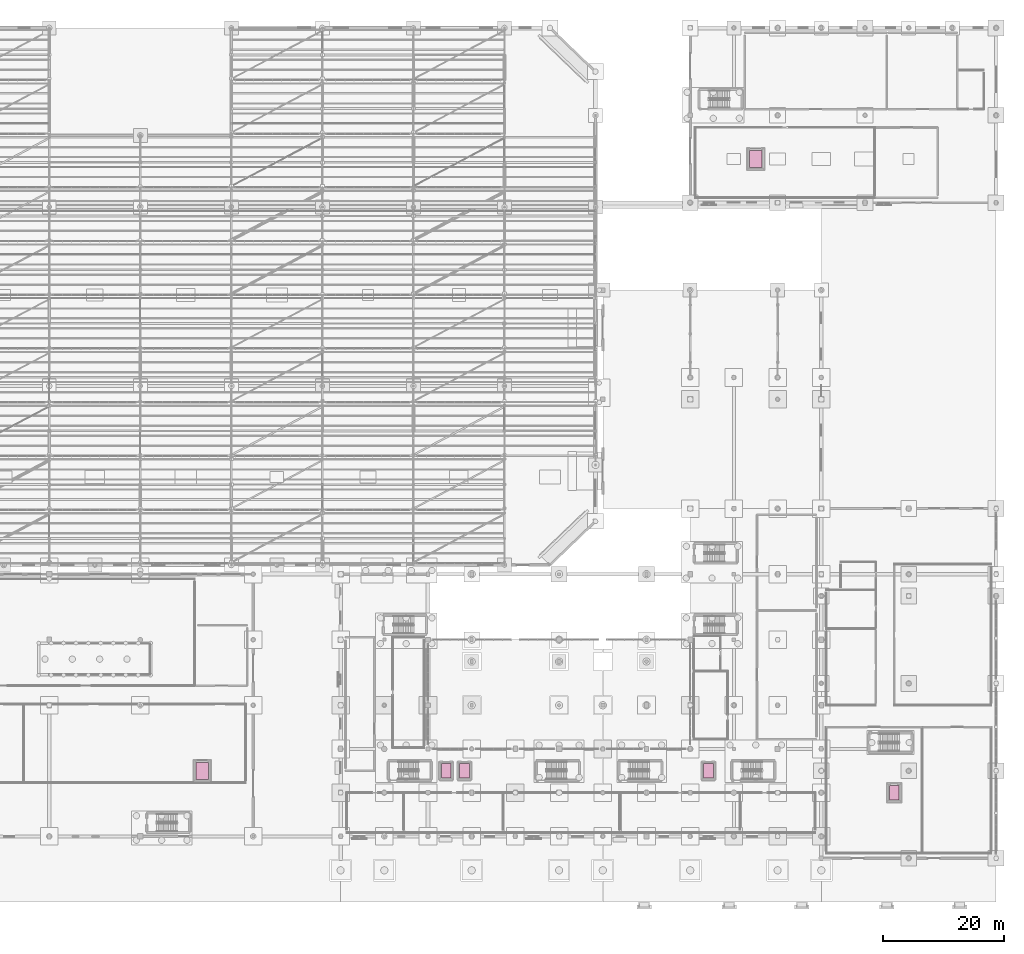
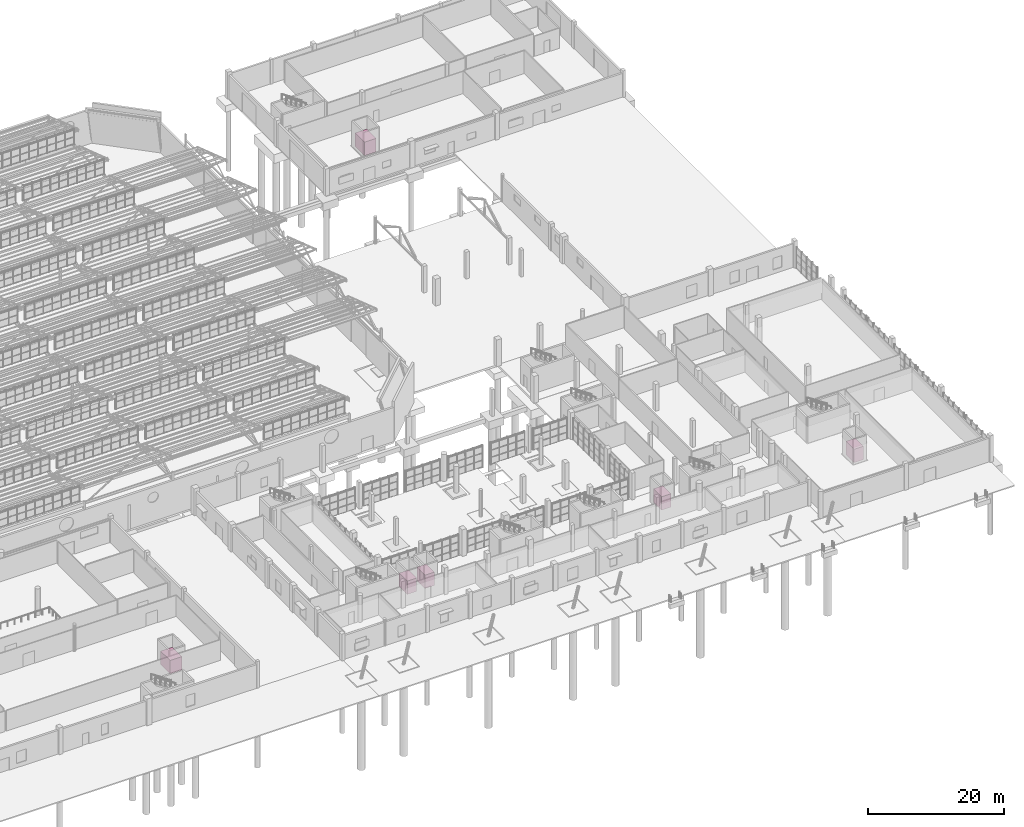
# One storey, part 285 of 285: 6 transport elements.
"""IFC4 building model written with IfcOpenShell, lengths in metres."""

from ifc_helpers import new_model, si_unit, direction, frame, origin, origin_2d, place, context, subcontext, project, spatial, rectangle, extrude, material, type_object, element, save


model = new_model("IFC4")

# Units and contexts
model_context = context("Model", 3, precision=1e-05, world=origin(), true_north=direction((0.0, 1.0)))
body_context = subcontext(model_context, "Body", "Model", "MODEL_VIEW")
ifc_project = project(units=[si_unit("LENGTHUNIT", "METRE"), si_unit("AREAUNIT", "SQUARE_METRE"), si_unit("VOLUMEUNIT", "CUBIC_METRE"), si_unit("PLANEANGLEUNIT", "RADIAN"), si_unit("MASSUNIT", "GRAM", prefix="KILO")], contexts=[model_context])

# Site, building, storey
site_placement = place(None, origin())
site = spatial("IfcSite", under=ifc_project, at=site_placement, CompositionType="ELEMENT")
building_placement = place(site_placement, origin())
building = spatial("IfcBuilding", under=site, at=building_placement, Name="Solanera Park Tramway Depot", CompositionType="ELEMENT")
storey_placement = place(building_placement, origin())
storey = spatial("IfcBuildingStorey", under=building, at=storey_placement, Name="L00", CompositionType="ELEMENT", Elevation=0.0)

# Transport elements
ifc_material_1 = material(Name="Chequer-plate heavy goods lift car")
transport_element_type_1 = type_object("IfcTransportElementType", Name="Heavy Workshop Goods Lift 2200x2800", PredefinedType="ELEVATOR", material=ifc_material_1)
for number, where, z_axis, x_axis, name in (
    (1, (85.199951171875, 21.60009765625, 0.0), (0.0, 0.0, 1.0), (1.0, 0.0, 0.0), "LF-05 Goods Lift (L00-L02)"),
    (2, (176.39990234375, 122.39990234375, 0.0), (0.0, 0.0, 1.0), (1.0, 0.0, 0.0), "LF-06 Goods Lift (L00-L01)"),
):
    element("IfcTransportElement", number, at=place(storey_placement, frame(where, z_axis=z_axis, x_axis=x_axis)), inside=storey, type_object=transport_element_type_1, Name=name, PredefinedType="ELEVATOR", context=body_context, shape_type="SweptSolid", body=[
        extrude(rectangle(XDim=2.0, YDim=2.800048828125, at=origin_2d()), origin(), (0.0, 0.0, 1.0), 2.39990234375),
    ])
ifc_material_2 = material(Name="Brushed stainless steel passenger lift car", Category="steel")
transport_element_type_2 = type_object("IfcTransportElementType", Name="Passenger Stretcher Lift 1600x2400", PredefinedType="ELEVATOR", material=ifc_material_2)
for number, where, z_axis, x_axis, name in (
    (3, (125.39990234375, 21.60009765625, 0.0), (0.0, 0.0, 1.0), (1.0, 0.0, 0.0), "LF-01 Passenger Lift (L00-L03)"),
    (4, (128.39990234375, 21.60009765625, 0.0), (0.0, 0.0, 1.0), (1.0, 0.0, 0.0), "LF-02 Passenger Lift (L00-L03)"),
    (5, (168.60009765625, 21.60009765625, 0.0), (0.0, 0.0, 1.0), (1.0, 0.0, 0.0), "LF-03 Passenger Lift (L00-L03)"),
    (6, (199.199951171875, 18.0, 0.0), (0.0, 0.0, 1.0), (1.0, 0.0, 0.0), "LF-04 Passenger Lift (L00-L01)"),
):
    element("IfcTransportElement", number, at=place(storey_placement, frame(where, z_axis=z_axis, x_axis=x_axis)), inside=storey, type_object=transport_element_type_2, Name=name, PredefinedType="ELEVATOR", context=body_context, shape_type="SweptSolid", body=[
        extrude(rectangle(XDim=1.60009765625, YDim=2.39990234375, at=origin_2d()), origin(), (0.0, 0.0, 1.0), 2.39990234375),
    ])

save(model, "model.ifc")
